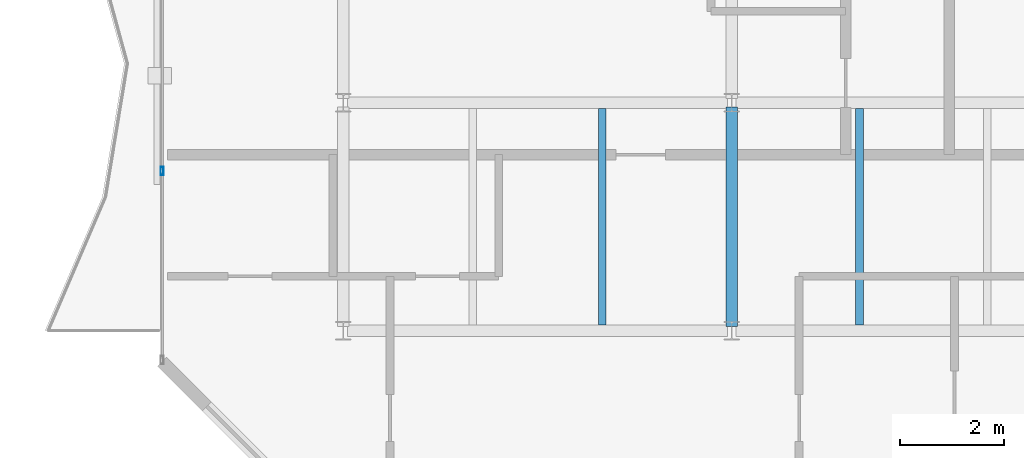
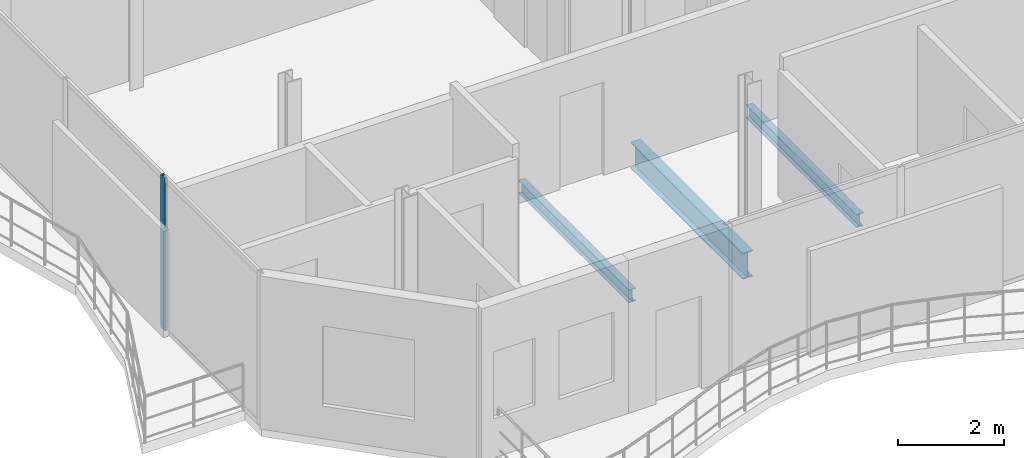
# One storey, part 5 of 24: 3 beams, 1 member, 1 element without a shape of its own.
"""IFC4 building model written with IfcOpenShell, lengths in metres."""

from ifc_helpers import new_model, si_unit, direction, frame, origin, origin_2d, place, context, subcontext, project, spatial, hollow_rectangle, i_section, extrude, material, layer, layer_set, material_profile, profile_set, type_object, element, aggregate, save


model = new_model("IFC4")

# Units and contexts
model_context = context("Model", 3, precision=1e-05, world=origin(), true_north=direction((0.0, 1.0)))
body_context = subcontext(model_context, "Body", "Model", "MODEL_VIEW")
ifc_project = project(units=[si_unit("LENGTHUNIT", "METRE"), si_unit("AREAUNIT", "SQUARE_METRE"), si_unit("VOLUMEUNIT", "CUBIC_METRE"), si_unit("PLANEANGLEUNIT", "RADIAN"), si_unit("MASSUNIT", "GRAM", prefix="KILO")], contexts=[model_context])

# Site, building, storey
site_placement = place(None, origin())
site = spatial("IfcSite", under=ifc_project, at=site_placement, CompositionType="ELEMENT")
building_placement = place(site_placement, origin())
building = spatial("IfcBuilding", under=site, at=building_placement, Name="Catumbela Crestline Tower", CompositionType="ELEMENT")
storey_placement = place(building_placement, frame((0.0, 0.0, 237.4)))
storey = spatial("IfcBuildingStorey", under=building, at=storey_placement, Name="L61", CompositionType="ELEMENT", Elevation=237.4)

# Beams
ifc_material_1 = material(Name="Structural steel S355J2", Category="steel")
ifc_material_profile_1 = material_profile(ifc_material_1, i_section(OverallWidth=0.22, OverallDepth=0.6, WebThickness=0.012, FlangeThickness=0.019, FilletRadius=0.024, at=origin_2d()), Name="IPE 600")
ifc_profile_set_1 = profile_set([ifc_material_profile_1], Name="Structural steel S355J2")
beam_type_1 = type_object("IfcBeamType", Name="BG-IPE600", PredefinedType="BEAM", material=ifc_profile_set_1)
beam_placement = place(storey_placement, frame((16.0, 13.68, -0.56), z_axis=(0.0, 1.0, 0.0), x_axis=(-1.0, 0.0, 0.0)))
element("IfcBeam", 1, at=beam_placement, inside=storey, type_object=beam_type_1, Name="L61 Beam BM-L61-WNS33", PredefinedType="BEAM", context=body_context, shape_type="SweptSolid", body=[
    extrude(i_section(OverallWidth=0.22, OverallDepth=0.6, WebThickness=0.012, FlangeThickness=0.019, FilletRadius=0.024, at=origin_2d()), origin(), (0.0, 0.0, 1.0), 4.24),
])
ifc_material_profile_2 = material_profile(ifc_material_1, i_section(OverallWidth=0.15, OverallDepth=0.3, WebThickness=0.0071, FlangeThickness=0.0107, FilletRadius=0.015, at=origin_2d()), Name="IPE 300")
ifc_profile_set_2 = profile_set([ifc_material_profile_2], Name="Structural steel S355J2")
beam_type_2 = type_object("IfcBeamType", Name="BJ-IPE300", PredefinedType="JOIST", material=ifc_profile_set_2)
for number, where, z_axis, x_axis, name in (
    (2, (13.5, 13.71, -0.41), (0.0, 1.0, 0.0), (-1.0, 0.0, 0.0), "L61 Joist JS-L61-WG37"),
    (3, (18.467, 13.71, -0.41), (0.0, 1.0, 0.0), (-1.0, 0.0, 0.0), "L61 Joist JS-L61-WG38"),
):
    element("IfcBeam", number, at=place(storey_placement, frame(where, z_axis=z_axis, x_axis=x_axis)), inside=storey, type_object=beam_type_2, Name=name, PredefinedType="JOIST", context=body_context, shape_type="SweptSolid", body=[
        extrude(i_section(OverallWidth=0.15, OverallDepth=0.3, WebThickness=0.0071, FlangeThickness=0.0107, FilletRadius=0.015, at=origin_2d()), origin(), (0.0, 0.0, 1.0), 4.18),
    ])

# Curtain wall, member
ifc_material_2 = material(Name="Aluminium alloy AW-6060-T66", Category="aluminium")
ifc_layer = layer(ifc_material_2, 0.18, Name="Aluminium alloy AW-6060-T66")
ifc_layer_set = layer_set([ifc_layer], Name="Aluminium alloy AW-6060-T66")
curtain_wall_type = type_object("IfcCurtainWallType", Name="CWU-Z4", PredefinedType="USERDEFINED", material=ifc_layer_set)
curtain_wall_placement = place(storey_placement, origin())
curtain_wall = element("IfcCurtainWall", 4, at=curtain_wall_placement, inside=storey, type_object=curtain_wall_type, Name="L61 Unitised Curtain Wall CW-L61-E9S2", ObjectType="UNITISED", PredefinedType="USERDEFINED")
ifc_material_profile_3 = material_profile(ifc_material_2, hollow_rectangle(XDim=0.06, YDim=0.16, WallThickness=0.004, at=origin_2d()), Name="ALU 160x60x4")
ifc_profile_set_3 = profile_set([ifc_material_profile_3], Name="Aluminium alloy AW-6060-T66")
member_type = type_object("IfcMemberType", Name="MUL-160X60", PredefinedType="MULLION", material=ifc_profile_set_3)
member_placement = place(storey_placement, frame((5.0, 16.6833, 0.0), z_axis=(0.0, 0.0, 1.0), x_axis=(1.0, 0.0, 0.0)))
member = element("IfcMember", 5, at=member_placement, type_object=member_type, Name="CWU-Z4 mullion 6", PredefinedType="MULLION", context=body_context, shape_type="SweptSolid", body=[
    extrude(hollow_rectangle(XDim=0.06, YDim=0.16, WallThickness=0.004, at=origin_2d()), origin(), (0.0, 0.0, 1.0), 3.53),
])
aggregate(curtain_wall, [member])

save(model, "model.ifc")
